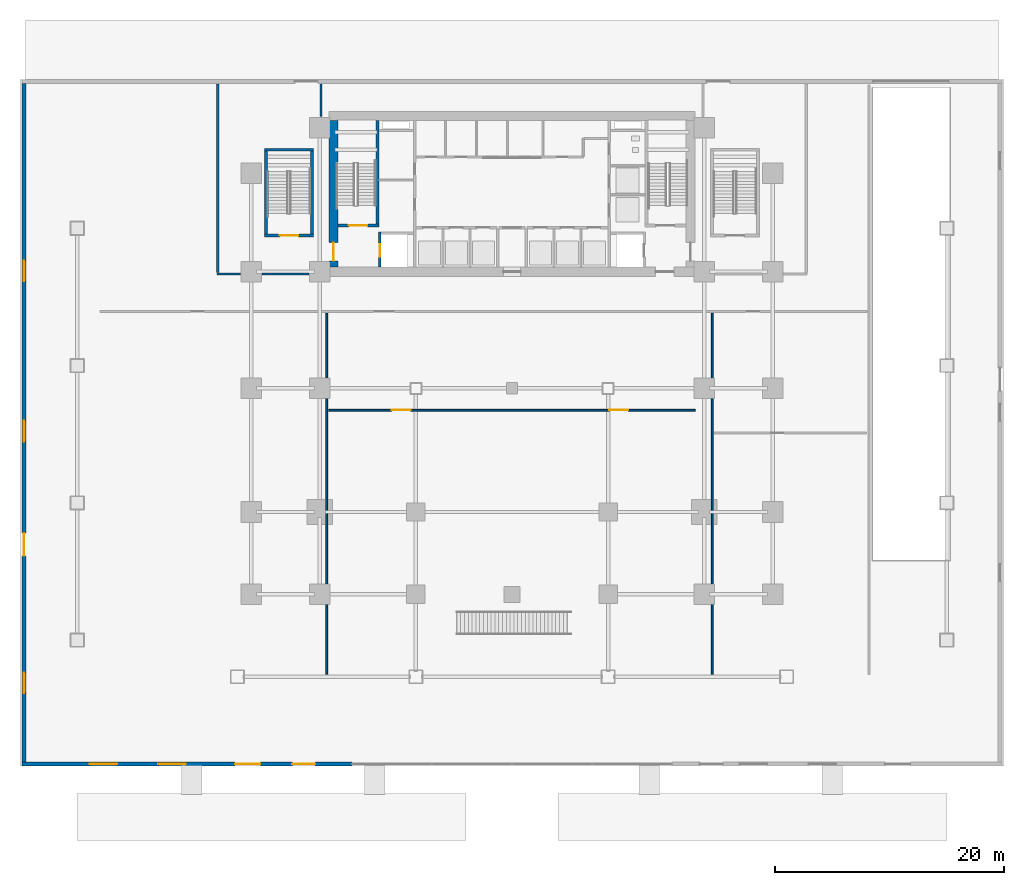
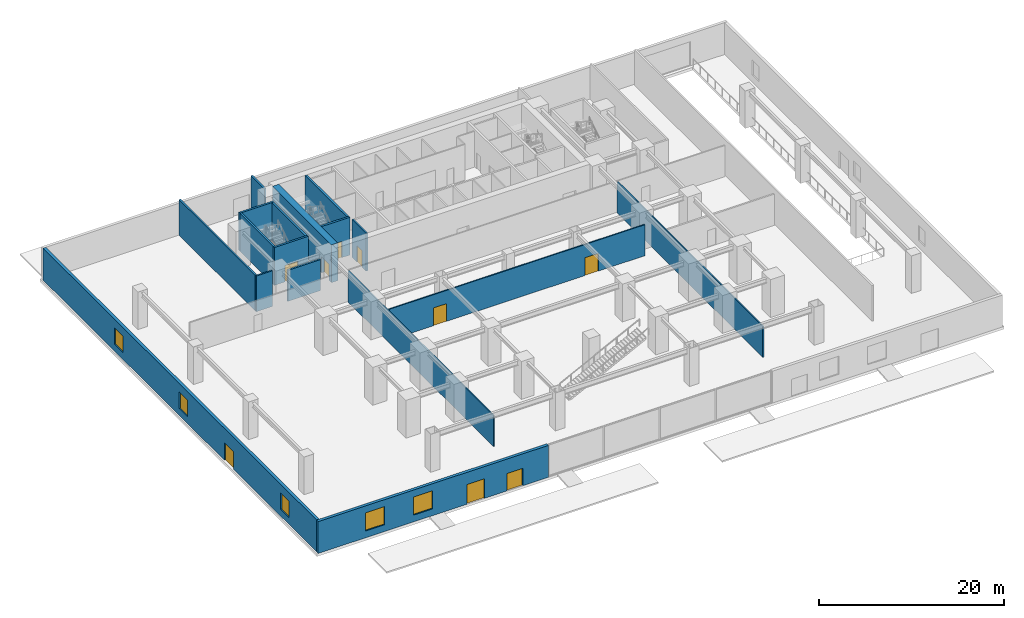
# One storey, part 8 of 18: 17 walls, 9 doors, 5 windows, 14 openings.
"""IFC4 building model written with IfcOpenShell, lengths in metres."""

from ifc_helpers import new_model, si_unit, direction, frame, frame_2d, origin, place, context, subcontext, project, spatial, rectangle, extrude, source, transform, mapped, material, layer, layer_set, type_object, element, fill, save


model = new_model("IFC4")

# Units and contexts
model_context = context("Model", 3, precision=1e-05, world=origin(), true_north=direction((0.0, 1.0)))
body_context = subcontext(model_context, "Body", "Model", "MODEL_VIEW")
ifc_project = project(units=[si_unit("LENGTHUNIT", "METRE"), si_unit("AREAUNIT", "SQUARE_METRE"), si_unit("VOLUMEUNIT", "CUBIC_METRE"), si_unit("PLANEANGLEUNIT", "RADIAN"), si_unit("MASSUNIT", "GRAM", prefix="KILO")], contexts=[model_context])

# Site, building, storey
site_placement = place(None, origin())
site = spatial("IfcSite", under=ifc_project, at=site_placement, CompositionType="ELEMENT")
building_placement = place(site_placement, origin())
building = spatial("IfcBuilding", under=site, at=building_placement, Name="Sumidabori Civic Tower", CompositionType="ELEMENT")
storey_placement = place(building_placement, origin())
storey = spatial("IfcBuildingStorey", under=building, at=storey_placement, Name="L00", CompositionType="ELEMENT", Elevation=0.0)

# Wall, opening, door
ifc_material_1 = material(Name="Concrete C60/75", Category="concrete")
ifc_layer_1 = layer(ifc_material_1, 0.800048828125, Name="Concrete C60/75")
ifc_layer_set_1 = layer_set([ifc_layer_1], Name="Concrete C60/75")
wall_type_1 = type_object("IfcWallType", Name="WL-CORE-800", PredefinedType="SHEAR", material=ifc_layer_set_1)
shared_shape_1 = source(origin(), body_context, "Body", "SweptSolid", [
    extrude(rectangle(XDim=12.7998046875, YDim=0.800048828125, at=frame_2d((6.39990234375, 0.0))), origin(), (0.0, 0.0, 1.0), 5.0),
])
wall_1_placement = place(storey_placement, frame((-15.60009765625, 10.60009765625, 0.0), z_axis=(0.0, 0.0, 1.0), x_axis=(0.0, 1.0, 0.0)))
wall_1 = element("IfcWall", 1, at=wall_1_placement, inside=storey, type_object=wall_type_1, Name="Core Shear Wall L00 W", PredefinedType="SHEAR", context=body_context, shape_type="MappedRepresentation", body=[
    mapped(shared_shape_1, transform((0.0, 0.0, 0.0), x_axis=(1.0, 0.0, 0.0), y_axis=(0.0, 1.0, 0.0), z_axis=(0.0, 0.0, 1.0), scale=1.0)),
])
opening_1_placement = place(wall_1_placement, frame((0.550048828125, 0.0, 0.0)))
opening_1 = element("IfcOpeningElement", 2, at=opening_1_placement, cuts=wall_1, Name="Opening DR-FD4", PredefinedType="OPENING", context=body_context, shape_type="SweptSolid", body=[
    extrude(rectangle(XDim=1.60009765625, YDim=2.14990234375, at=frame_2d((0.800048828125, 1.074951171875))), frame((0.0, 0.412109375, 0.0), z_axis=(0.0, -1.0, 0.0), x_axis=(1.0, 0.0, 0.0)), (0.0, 0.0, 1.0), 0.823974609375),
])
ifc_material_2 = material(Name="Steel SN490", Category="steel")
door_type_1 = type_object("IfcDoorType", Name="DR-FD4", OperationType="DOUBLE_DOOR_SINGLE_SWING", PredefinedType="DOOR", material=ifc_material_2)
shared_shape_2 = source(origin(), body_context, "Body", "SweptSolid", [
    extrude(rectangle(XDim=1.60009765625, YDim=2.14990234375, at=frame_2d((0.800048828125, 1.074951171875))), frame((0.0, 0.02490234375, 0.0), z_axis=(0.0, -1.0, 0.0), x_axis=(1.0, 0.0, 0.0)), (0.0, 0.0, 1.0), 0.050048828125),
])
door_1_placement = place(opening_1_placement, origin())
door_1 = element("IfcDoor", 3, at=door_1_placement, inside=storey, type_object=door_type_1, Name="Door DR:L00:EXP-IN-W", OperationType="DOUBLE_DOOR_SINGLE_SWING", OverallHeight=2.14990234375, OverallWidth=1.60009765625, PredefinedType="DOOR", context=body_context, shape_type="MappedRepresentation", body=[
    mapped(shared_shape_2, transform((0.0, 0.0, 0.0), x_axis=(1.0, 0.0, 0.0), y_axis=(0.0, 1.0, 0.0), z_axis=(0.0, 0.0, 1.0), scale=1.0)),
])
fill(opening_1, door_1)

ifc_material_3 = material(Name="Concrete C50/60", Category="concrete")
ifc_layer_2 = layer(ifc_material_3, 0.25, Name="Concrete C50/60")
ifc_layer_set_2 = layer_set([ifc_layer_2], Name="Concrete C50/60")
wall_type_2 = type_object("IfcWallType", Name="WL-SHAFT-250", PredefinedType="SHEAR", material=ifc_layer_set_2)
shared_shape_3 = source(origin(), body_context, "Body", "SweptSolid", [
    extrude(rectangle(XDim=3.554931640625, YDim=0.25, at=frame_2d((1.77734375, 0.0))), origin(), (0.0, 0.0, 1.0), 5.0),
])
wall_2_placement = place(storey_placement, frame((-15.199951171875, 14.25, 0.0), z_axis=(0.0, 0.0, 1.0), x_axis=(1.0, 0.0, 0.0)))
wall_2 = element("IfcWall", 4, at=wall_2_placement, inside=storey, type_object=wall_type_2, Name="Core Shear Wall L00 ST1-S", PredefinedType="SHEAR", context=body_context, shape_type="MappedRepresentation", body=[
    mapped(shared_shape_3, transform((0.0, 0.0, 0.0), x_axis=(1.0, 0.0, 0.0), y_axis=(0.0, 1.0, 0.0), z_axis=(0.0, 0.0, 1.0), scale=1.0)),
])
opening_2_placement = place(wall_2_placement, frame((0.949951171875, 0.0, 0.0)))
opening_2 = element("IfcOpeningElement", 5, at=opening_2_placement, cuts=wall_2, Name="Opening DR-FD4", PredefinedType="OPENING", context=body_context, shape_type="SweptSolid", body=[
    extrude(rectangle(XDim=1.60009765625, YDim=2.14990234375, at=frame_2d((0.800048828125, 1.074951171875))), frame((0.0, 0.136962890625, 0.0), z_axis=(0.0, -1.0, 0.0), x_axis=(1.0, 0.0, 0.0)), (0.0, 0.0, 1.0), 0.27392578125),
])
door_2_placement = place(opening_2_placement, origin())
door_2 = element("IfcDoor", 6, at=door_2_placement, inside=storey, type_object=door_type_1, Name="Door DR:L00:ST1", OperationType="DOUBLE_DOOR_SINGLE_SWING", OverallHeight=2.14990234375, OverallWidth=1.60009765625, PredefinedType="DOOR", context=body_context, shape_type="MappedRepresentation", body=[
    mapped(shared_shape_2, transform((0.0, 0.0, 0.0), x_axis=(1.0, 0.0, 0.0), y_axis=(0.0, 1.0, 0.0), z_axis=(0.0, 0.0, 1.0), scale=1.0)),
])
fill(opening_2, door_2)

# Wall
shared_shape_4 = source(origin(), body_context, "Body", "SweptSolid", [
    extrude(rectangle(XDim=9.02490234375, YDim=0.25, at=frame_2d((4.512451171875, 0.0))), origin(), (0.0, 0.0, 1.0), 5.0),
])
wall_3_placement = place(storey_placement, frame((-11.77001953125, 14.375, 0.0), z_axis=(0.0, 0.0, 1.0), x_axis=(0.0, 1.0, 0.0)))
element("IfcWall", 7, at=wall_3_placement, inside=storey, type_object=wall_type_2, Name="Core Shear Wall L00 ST1-E", PredefinedType="SHEAR", context=body_context, shape_type="MappedRepresentation", body=[
    mapped(shared_shape_4, transform((0.0, 0.0, 0.0), x_axis=(1.0, 0.0, 0.0), y_axis=(0.0, 1.0, 0.0), z_axis=(0.0, 0.0, 1.0), scale=1.0)),
])

# Wall, opening, door
ifc_layer_3 = layer(ifc_material_3, 0.199951171875, Name="Concrete C50/60")
ifc_layer_set_3 = layer_set([ifc_layer_3], Name="Concrete C50/60")
wall_type_3 = type_object("IfcWallType", Name="WL-SHAFT-200", PredefinedType="SHEAR", material=ifc_layer_set_3)
shared_shape_5 = source(origin(), body_context, "Body", "SweptSolid", [
    extrude(rectangle(XDim=3.0498046875, YDim=0.199951171875, at=frame_2d((1.52490234375, 0.0))), origin(), (0.0, 0.0, 1.0), 5.0),
])
wall_4_placement = place(storey_placement, frame((-11.550048828125, 10.60009765625, 0.0), z_axis=(0.0, 0.0, 1.0), x_axis=(0.0, 1.0, 0.0)))
wall_4 = element("IfcWall", 8, at=wall_4_placement, inside=storey, type_object=wall_type_3, Name="Core Shear Wall L00 EL1-W", PredefinedType="SHEAR", context=body_context, shape_type="MappedRepresentation", body=[
    mapped(shared_shape_5, transform((0.0, 0.0, 0.0), x_axis=(1.0, 0.0, 0.0), y_axis=(0.0, 1.0, 0.0), z_axis=(0.0, 0.0, 1.0), scale=1.0)),
])
opening_3_placement = place(wall_4_placement, frame((0.89990234375, 0.0, 0.0)))
opening_3 = element("IfcOpeningElement", 9, at=opening_3_placement, cuts=wall_4, Name="Opening LD-2", PredefinedType="OPENING", context=body_context, shape_type="SweptSolid", body=[
    extrude(rectangle(XDim=1.10009765625, YDim=2.14990234375, at=frame_2d((0.550048828125, 1.074951171875))), frame((0.0, 0.11181640625, 0.0), z_axis=(0.0, -1.0, 0.0), x_axis=(1.0, 0.0, 0.0)), (0.0, 0.0, 1.0), 0.223876953125),
])
ifc_material_4 = material(Name="Stainless Steel Hairline Finish", Category="steel")
door_type_2 = type_object("IfcDoorType", Name="DR-LD2", OperationType="DOUBLE_DOOR_SLIDING", PredefinedType="DOOR", material=ifc_material_4)
shared_shape_6 = source(origin(), body_context, "Body", "SweptSolid", [
    extrude(rectangle(XDim=1.10009765625, YDim=2.14990234375, at=frame_2d((0.550048828125, 1.074951171875))), frame((0.0, 0.02490234375, 0.0), z_axis=(0.0, -1.0, 0.0), x_axis=(1.0, 0.0, 0.0)), (0.0, 0.0, 1.0), 0.050048828125),
])
door_3_placement = place(opening_3_placement, origin())
door_3 = element("IfcDoor", 10, at=door_3_placement, inside=storey, type_object=door_type_2, Name="Door DR:L00:LD-EL1", OperationType="DOUBLE_DOOR_SLIDING", OverallHeight=2.14990234375, OverallWidth=1.10009765625, PredefinedType="DOOR", context=body_context, shape_type="MappedRepresentation", body=[
    mapped(shared_shape_6, transform((0.0, 0.0, 0.0), x_axis=(1.0, 0.0, 0.0), y_axis=(0.0, 1.0, 0.0), z_axis=(0.0, 0.0, 1.0), scale=1.0)),
])
fill(opening_3, door_3)

# Wall
shared_shape_7 = source(origin(), body_context, "Body", "SweptSolid", [
    extrude(rectangle(XDim=4.260009765625, YDim=0.25, at=frame_2d((2.1298828125, 0.0))), origin(), (0.0, 0.0, 1.0), 5.0),
])
wall_5_placement = place(storey_placement, frame((-21.610107421875, 20.864990234375, 0.0), z_axis=(0.0, 0.0, 1.0), x_axis=(1.0, 0.0, 0.0)))
element("IfcWall", 11, at=wall_5_placement, inside=storey, type_object=wall_type_2, Name="Core Shear Wall L00 ST3-N", PredefinedType="SHEAR", context=body_context, shape_type="MappedRepresentation", body=[
    mapped(shared_shape_7, transform((0.0, 0.0, 0.0), x_axis=(1.0, 0.0, 0.0), y_axis=(0.0, 1.0, 0.0), z_axis=(0.0, 0.0, 1.0), scale=1.0)),
])

# Wall, opening, door
wall_6_placement = place(storey_placement, frame((-21.610107421875, 13.375, 0.0), z_axis=(0.0, 0.0, 1.0), x_axis=(1.0, 0.0, 0.0)))
wall_6 = element("IfcWall", 12, at=wall_6_placement, inside=storey, type_object=wall_type_2, Name="Core Shear Wall L00 ST3-S", PredefinedType="SHEAR", context=body_context, shape_type="MappedRepresentation", body=[
    mapped(shared_shape_7, transform((0.0, 0.0, 0.0), x_axis=(1.0, 0.0, 0.0), y_axis=(0.0, 1.0, 0.0), z_axis=(0.0, 0.0, 1.0), scale=1.0)),
])
opening_4_placement = place(wall_6_placement, frame((1.330078125, 0.0, 0.0)))
opening_4 = element("IfcOpeningElement", 13, at=opening_4_placement, cuts=wall_6, Name="Opening DR-FD4", PredefinedType="OPENING", context=body_context, shape_type="SweptSolid", body=[
    extrude(rectangle(XDim=1.60009765625, YDim=2.14990234375, at=frame_2d((0.800048828125, 1.074951171875))), frame((0.0, 0.136962890625, 0.0), z_axis=(0.0, -1.0, 0.0), x_axis=(1.0, 0.0, 0.0)), (0.0, 0.0, 1.0), 0.27392578125),
])
door_4_placement = place(opening_4_placement, origin())
door_4 = element("IfcDoor", 14, at=door_4_placement, inside=storey, type_object=door_type_1, Name="Door DR:L00:ST3", OperationType="DOUBLE_DOOR_SINGLE_SWING", OverallHeight=2.14990234375, OverallWidth=1.60009765625, PredefinedType="DOOR", context=body_context, shape_type="MappedRepresentation", body=[
    mapped(shared_shape_2, transform((0.0, 0.0, 0.0), x_axis=(1.0, 0.0, 0.0), y_axis=(0.0, 1.0, 0.0), z_axis=(0.0, 0.0, 1.0), scale=1.0)),
])
fill(opening_4, door_4)

# Walls
shared_shape_8 = source(origin(), body_context, "Body", "SweptSolid", [
    extrude(rectangle(XDim=7.230224609375, YDim=0.25, at=frame_2d((3.615234375, 0.0))), origin(), (0.0, 0.0, 1.0), 5.0),
])
for number, where, z_axis, x_axis, name in (
    (15, (-21.485107421875, 13.5048828125, 0.0), (0.0, 0.0, 1.0), (0.0, 1.0, 0.0), "Core Shear Wall L00 ST3-W"),
    (16, (-17.47509765625, 13.5048828125, 0.0), (0.0, 0.0, 1.0), (0.0, 1.0, 0.0), "Core Shear Wall L00 ST3-E"),
):
    element("IfcWall", number, at=place(storey_placement, frame(where, z_axis=z_axis, x_axis=x_axis)), inside=storey, type_object=wall_type_2, Name=name, PredefinedType="SHEAR", context=body_context, shape_type="MappedRepresentation", body=[
        mapped(shared_shape_8, transform((0.0, 0.0, 0.0), x_axis=(1.0, 0.0, 0.0), y_axis=(0.0, 1.0, 0.0), z_axis=(0.0, 0.0, 1.0), scale=1.0)),
    ])

# Wall, openings, doors, windows
ifc_material_5 = material(Name="Precast concrete C40/50", Category="concrete")
ifc_layer_4 = layer(ifc_material_5, 0.360107421875, Name="Precast concrete C40/50")
ifc_layer_set_4 = layer_set([ifc_layer_4], Name="Precast concrete C40/50")
wall_type_4 = type_object("IfcWallType", Name="WL-EXT-POD360", PredefinedType="STANDARD", material=ifc_layer_set_4)
shared_shape_9 = source(origin(), body_context, "Body", "SweptSolid", [
    extrude(rectangle(XDim=28.820068359375, YDim=0.360107421875, at=frame_2d((14.41015625, 0.0))), origin(), (0.0, 0.0, 1.0), 4.219970703125),
])
wall_7_placement = place(storey_placement, frame((-14.0, -32.820068359375, 0.0), z_axis=(0.0, 0.0, 1.0), x_axis=(-1.0, 0.0, 0.0)))
wall_7 = element("IfcWall", 17, at=wall_7_placement, inside=storey, type_object=wall_type_4, Name="Podium South-West Precast Wall", PredefinedType="STANDARD", context=body_context, shape_type="MappedRepresentation", body=[
    mapped(shared_shape_9, transform((0.0, 0.0, 0.0), x_axis=(1.0, 0.0, 0.0), y_axis=(0.0, 1.0, 0.0), z_axis=(0.0, 0.0, 1.0), scale=1.0)),
])
opening_5_placement = place(wall_7_placement, frame((8.0, 0.0, 0.0)))
opening_5 = element("IfcOpeningElement", 18, at=opening_5_placement, cuts=wall_7, Name="Opening EX-1", PredefinedType="OPENING", context=body_context, shape_type="SweptSolid", body=[
    extrude(rectangle(XDim=2.199951171875, YDim=2.60009765625, at=frame_2d((1.10009765625, 1.300048828125))), frame((0.0, 0.19189453125, 0.0), z_axis=(0.0, -1.0, 0.0), x_axis=(1.0, 0.0, 0.0)), (0.0, 0.0, 1.0), 0.384033203125),
])
opening_6_placement = place(wall_7_placement, frame((3.199951171875, 0.0, 0.0)))
opening_6 = element("IfcOpeningElement", 19, at=opening_6_placement, cuts=wall_7, Name="Opening EX-2", PredefinedType="OPENING", context=body_context, shape_type="SweptSolid", body=[
    extrude(rectangle(XDim=2.0, YDim=2.300048828125, at=frame_2d((1.0, 1.14990234375))), frame((0.0, 0.19189453125, 0.0), z_axis=(0.0, -1.0, 0.0), x_axis=(1.0, 0.0, 0.0)), (0.0, 0.0, 1.0), 0.384033203125),
])
opening_7_placement = place(wall_7_placement, frame((14.5, 0.0, 0.89990234375)))
opening_7 = element("IfcOpeningElement", 20, at=opening_7_placement, cuts=wall_7, Name="Opening WN-1", PredefinedType="OPENING", context=body_context, shape_type="SweptSolid", body=[
    extrude(rectangle(XDim=2.39990234375, YDim=2.39990234375, at=frame_2d((1.199951171875, 1.199951171875))), frame((0.0, 0.19189453125, 0.0), z_axis=(0.0, -1.0, 0.0), x_axis=(1.0, 0.0, 0.0)), (0.0, 0.0, 1.0), 0.384033203125),
])
opening_8_placement = place(wall_7_placement, frame((20.5, 0.0, 0.89990234375)))
opening_8 = element("IfcOpeningElement", 21, at=opening_8_placement, cuts=wall_7, Name="Opening WN-1", PredefinedType="OPENING", context=body_context, shape_type="SweptSolid", body=[
    extrude(rectangle(XDim=2.39990234375, YDim=2.39990234375, at=frame_2d((1.199951171875, 1.199951171875))), frame((0.0, 0.19189453125, 0.0), z_axis=(0.0, -1.0, 0.0), x_axis=(1.0, 0.0, 0.0)), (0.0, 0.0, 1.0), 0.384033203125),
])
ifc_material_6 = material(Name="Anodised Bronze Aluminium AW-6063-T6", Category="aluminium")
door_type_3 = type_object("IfcDoorType", Name="DR-EXT-MAIN", OperationType="DOUBLE_DOOR_SINGLE_SWING", PredefinedType="DOOR", material=ifc_material_6)
shared_shape_10 = source(origin(), body_context, "Body", "SweptSolid", [
    extrude(rectangle(XDim=2.199951171875, YDim=2.60009765625, at=frame_2d((1.10009765625, 1.300048828125))), frame((0.0, 0.02490234375, 0.0), z_axis=(0.0, -1.0, 0.0), x_axis=(1.0, 0.0, 0.0)), (0.0, 0.0, 1.0), 0.050048828125),
])
door_5_placement = place(opening_5_placement, origin())
door_5 = element("IfcDoor", 22, at=door_5_placement, inside=storey, type_object=door_type_3, Name="Main Entrance West EX-1", OperationType="DOUBLE_DOOR_SINGLE_SWING", OverallHeight=2.60009765625, OverallWidth=2.199951171875, PredefinedType="DOOR", context=body_context, shape_type="MappedRepresentation", body=[
    mapped(shared_shape_10, transform((0.0, 0.0, 0.0), x_axis=(1.0, 0.0, 0.0), y_axis=(0.0, 1.0, 0.0), z_axis=(0.0, 0.0, 1.0), scale=1.0)),
])
fill(opening_5, door_5)
door_type_4 = type_object("IfcDoorType", Name="DR-EXT-EXIT", OperationType="DOUBLE_DOOR_SINGLE_SWING", PredefinedType="DOOR", material=ifc_material_6)
shared_shape_11 = source(origin(), body_context, "Body", "SweptSolid", [
    extrude(rectangle(XDim=2.0, YDim=2.300048828125, at=frame_2d((1.0, 1.14990234375))), frame((0.0, 0.02490234375, 0.0), z_axis=(0.0, -1.0, 0.0), x_axis=(1.0, 0.0, 0.0)), (0.0, 0.0, 1.0), 0.050048828125),
])
door_6_placement = place(opening_6_placement, origin())
door_6 = element("IfcDoor", 23, at=door_6_placement, inside=storey, type_object=door_type_4, Name="Civic Forecourt Exit West EX-2", OperationType="DOUBLE_DOOR_SINGLE_SWING", OverallHeight=2.300048828125, OverallWidth=2.0, PredefinedType="DOOR", context=body_context, shape_type="MappedRepresentation", body=[
    mapped(shared_shape_11, transform((0.0, 0.0, 0.0), x_axis=(1.0, 0.0, 0.0), y_axis=(0.0, 1.0, 0.0), z_axis=(0.0, 0.0, 1.0), scale=1.0)),
])
fill(opening_6, door_6)
ifc_material_7 = material(Name="Low-E Vision Double Glazing", Category="glass")
window_type_1 = type_object("IfcWindowType", Name="WN-POD-2400", PartitioningType="SINGLE_PANEL", PredefinedType="WINDOW", material=ifc_material_7)
shared_shape_12 = source(origin(), body_context, "Body", "SweptSolid", [
    extrude(rectangle(XDim=2.39990234375, YDim=2.39990234375, at=frame_2d((1.199951171875, 1.199951171875))), frame((0.0, 0.030029296875, 0.0), z_axis=(0.0, -1.0, 0.0), x_axis=(1.0, 0.0, 0.0)), (0.0, 0.0, 1.0), 0.06005859375),
])
window_1_placement = place(opening_7_placement, origin())
window_1 = element("IfcWindow", 24, at=window_1_placement, inside=storey, type_object=window_type_1, Name="Podium Window L00-SW1", OverallHeight=2.39990234375, OverallWidth=2.39990234375, PartitioningType="SINGLE_PANEL", PredefinedType="WINDOW", context=body_context, shape_type="MappedRepresentation", body=[
    mapped(shared_shape_12, transform((0.0, 0.0, 0.0), x_axis=(1.0, 0.0, 0.0), y_axis=(0.0, 1.0, 0.0), z_axis=(0.0, 0.0, 1.0), scale=1.0)),
])
fill(opening_7, window_1)
window_2_placement = place(opening_8_placement, origin())
window_2 = element("IfcWindow", 25, at=window_2_placement, inside=storey, type_object=window_type_1, Name="Podium Window L00-SW2", OverallHeight=2.39990234375, OverallWidth=2.39990234375, PartitioningType="SINGLE_PANEL", PredefinedType="WINDOW", context=body_context, shape_type="MappedRepresentation", body=[
    mapped(shared_shape_12, transform((0.0, 0.0, 0.0), x_axis=(1.0, 0.0, 0.0), y_axis=(0.0, 1.0, 0.0), z_axis=(0.0, 0.0, 1.0), scale=1.0)),
])
fill(opening_8, window_2)

# Wall, openings, door, windows
shared_shape_13 = source(origin(), body_context, "Body", "SweptSolid", [
    extrude(rectangle(XDim=59.27978515625, YDim=0.360107421875, at=frame_2d((29.639892578125, 0.0))), origin(), (0.0, 0.0, 1.0), 4.219970703125),
])
wall_8_placement = place(storey_placement, frame((-42.639892578125, -32.639892578125, 0.0), z_axis=(0.0, 0.0, 1.0), x_axis=(0.0, 1.0, 0.0)))
wall_8 = element("IfcWall", 26, at=wall_8_placement, inside=storey, type_object=wall_type_4, Name="Podium West Precast Wall", PredefinedType="STANDARD", context=body_context, shape_type="MappedRepresentation", body=[
    mapped(shared_shape_13, transform((0.0, 0.0, 0.0), x_axis=(1.0, 0.0, 0.0), y_axis=(0.0, 1.0, 0.0), z_axis=(0.0, 0.0, 1.0), scale=1.0)),
])
opening_9_placement = place(wall_8_placement, frame((18.0, 0.0, 0.0)))
opening_9 = element("IfcOpeningElement", 27, at=opening_9_placement, cuts=wall_8, Name="Opening EX-2", PredefinedType="OPENING", context=body_context, shape_type="SweptSolid", body=[
    extrude(rectangle(XDim=2.0, YDim=2.300048828125, at=frame_2d((1.0, 1.14990234375))), frame((0.0, 0.19189453125, 0.0), z_axis=(0.0, -1.0, 0.0), x_axis=(1.0, 0.0, 0.0)), (0.0, 0.0, 1.0), 0.384033203125),
])
opening_10_placement = place(wall_8_placement, frame((6.0, 0.0, 0.89990234375)))
opening_10 = element("IfcOpeningElement", 28, at=opening_10_placement, cuts=wall_8, Name="Opening WN-2", PredefinedType="OPENING", context=body_context, shape_type="SweptSolid", body=[
    extrude(rectangle(XDim=1.800048828125, YDim=2.199951171875, at=frame_2d((0.89990234375, 1.10009765625))), frame((0.0, 0.19189453125, 0.0), z_axis=(0.0, -1.0, 0.0), x_axis=(1.0, 0.0, 0.0)), (0.0, 0.0, 1.0), 0.384033203125),
])
opening_11_placement = place(wall_8_placement, frame((28.0, 0.0, 0.89990234375)))
opening_11 = element("IfcOpeningElement", 29, at=opening_11_placement, cuts=wall_8, Name="Opening WN-2", PredefinedType="OPENING", context=body_context, shape_type="SweptSolid", body=[
    extrude(rectangle(XDim=1.800048828125, YDim=2.199951171875, at=frame_2d((0.89990234375, 1.10009765625))), frame((0.0, 0.19189453125, 0.0), z_axis=(0.0, -1.0, 0.0), x_axis=(1.0, 0.0, 0.0)), (0.0, 0.0, 1.0), 0.384033203125),
])
opening_12_placement = place(wall_8_placement, frame((42.0, 0.0, 0.89990234375)))
opening_12 = element("IfcOpeningElement", 30, at=opening_12_placement, cuts=wall_8, Name="Opening WN-2", PredefinedType="OPENING", context=body_context, shape_type="SweptSolid", body=[
    extrude(rectangle(XDim=1.800048828125, YDim=2.199951171875, at=frame_2d((0.89990234375, 1.10009765625))), frame((0.0, 0.19189453125, 0.0), z_axis=(0.0, -1.0, 0.0), x_axis=(1.0, 0.0, 0.0)), (0.0, 0.0, 1.0), 0.384033203125),
])
door_7_placement = place(opening_9_placement, origin())
door_7 = element("IfcDoor", 31, at=door_7_placement, inside=storey, type_object=door_type_4, Name="Pedestrian Exit West EX-2", OperationType="DOUBLE_DOOR_SINGLE_SWING", OverallHeight=2.300048828125, OverallWidth=2.0, PredefinedType="DOOR", context=body_context, shape_type="MappedRepresentation", body=[
    mapped(shared_shape_11, transform((0.0, 0.0, 0.0), x_axis=(1.0, 0.0, 0.0), y_axis=(0.0, 1.0, 0.0), z_axis=(0.0, 0.0, 1.0), scale=1.0)),
])
fill(opening_9, door_7)
window_type_2 = type_object("IfcWindowType", Name="WN-POD-1800", PartitioningType="SINGLE_PANEL", PredefinedType="WINDOW", material=ifc_material_7)
shared_shape_14 = source(origin(), body_context, "Body", "SweptSolid", [
    extrude(rectangle(XDim=1.800048828125, YDim=2.199951171875, at=frame_2d((0.89990234375, 1.10009765625))), frame((0.0, 0.030029296875, 0.0), z_axis=(0.0, -1.0, 0.0), x_axis=(1.0, 0.0, 0.0)), (0.0, 0.0, 1.0), 0.06005859375),
])
window_3_placement = place(opening_10_placement, origin())
window_3 = element("IfcWindow", 32, at=window_3_placement, inside=storey, type_object=window_type_2, Name="Podium Window L00-W1", OverallHeight=2.199951171875, OverallWidth=1.800048828125, PartitioningType="SINGLE_PANEL", PredefinedType="WINDOW", context=body_context, shape_type="MappedRepresentation", body=[
    mapped(shared_shape_14, transform((0.0, 0.0, 0.0), x_axis=(1.0, 0.0, 0.0), y_axis=(0.0, 1.0, 0.0), z_axis=(0.0, 0.0, 1.0), scale=1.0)),
])
fill(opening_10, window_3)
window_4_placement = place(opening_11_placement, origin())
window_4 = element("IfcWindow", 33, at=window_4_placement, inside=storey, type_object=window_type_2, Name="Podium Window L00-W2", OverallHeight=2.199951171875, OverallWidth=1.800048828125, PartitioningType="SINGLE_PANEL", PredefinedType="WINDOW", context=body_context, shape_type="MappedRepresentation", body=[
    mapped(shared_shape_14, transform((0.0, 0.0, 0.0), x_axis=(1.0, 0.0, 0.0), y_axis=(0.0, 1.0, 0.0), z_axis=(0.0, 0.0, 1.0), scale=1.0)),
])
fill(opening_11, window_4)
window_5_placement = place(opening_12_placement, origin())
window_5 = element("IfcWindow", 34, at=window_5_placement, inside=storey, type_object=window_type_2, Name="Podium Window L00-W3", OverallHeight=2.199951171875, OverallWidth=1.800048828125, PartitioningType="SINGLE_PANEL", PredefinedType="WINDOW", context=body_context, shape_type="MappedRepresentation", body=[
    mapped(shared_shape_14, transform((0.0, 0.0, 0.0), x_axis=(1.0, 0.0, 0.0), y_axis=(0.0, 1.0, 0.0), z_axis=(0.0, 0.0, 1.0), scale=1.0)),
])
fill(opening_12, window_5)

# Wall, openings, doors
ifc_material_8 = material(Name="Gypsum Plasterboard Acoustic Partition")
ifc_layer_5 = layer(ifc_material_8, 0.14990234375, Name="Gypsum Plasterboard Acoustic Partition")
ifc_layer_set_5 = layer_set([ifc_layer_5], Name="Gypsum Plasterboard Acoustic Partition")
wall_type_5 = type_object("IfcWallType", Name="WL-PART-150", PredefinedType="PARTITIONING", material=ifc_layer_set_5)
shared_shape_15 = source(origin(), body_context, "Body", "SweptSolid", [
    extrude(rectangle(XDim=32.0, YDim=0.14990234375, at=frame_2d((16.0, 0.0))), origin(), (0.0, 0.0, 1.0), 4.10498046875),
])
wall_9_placement = place(storey_placement, frame((-16.0, -1.89990234375, 0.0), z_axis=(0.0, 0.0, 1.0), x_axis=(1.0, 0.0, 0.0)))
wall_9 = element("IfcWall", 35, at=wall_9_placement, inside=storey, type_object=wall_type_5, Name="Interior Partition WL:L00:HALL-N", PredefinedType="PARTITIONING", context=body_context, shape_type="MappedRepresentation", body=[
    mapped(shared_shape_15, transform((0.0, 0.0, 0.0), x_axis=(1.0, 0.0, 0.0), y_axis=(0.0, 1.0, 0.0), z_axis=(0.0, 0.0, 1.0), scale=1.0)),
])
opening_13_placement = place(wall_9_placement, frame((5.5, 0.0, 0.0)))
opening_13 = element("IfcOpeningElement", 36, at=opening_13_placement, cuts=wall_9, Name="Opening DR-6", PredefinedType="OPENING", context=body_context, shape_type="SweptSolid", body=[
    extrude(rectangle(XDim=1.64990234375, YDim=2.35009765625, at=frame_2d((0.824951171875, 1.175048828125))), frame((0.0, 0.0869140625, 0.0), z_axis=(0.0, -1.0, 0.0), x_axis=(1.0, 0.0, 0.0)), (0.0, 0.0, 1.0), 0.173828125),
])
opening_14_placement = place(wall_9_placement, frame((24.5, 0.0, 0.0)))
opening_14 = element("IfcOpeningElement", 37, at=opening_14_placement, cuts=wall_9, Name="Opening DR-6", PredefinedType="OPENING", context=body_context, shape_type="SweptSolid", body=[
    extrude(rectangle(XDim=1.64990234375, YDim=2.35009765625, at=frame_2d((0.824951171875, 1.175048828125))), frame((0.0, 0.0869140625, 0.0), z_axis=(0.0, -1.0, 0.0), x_axis=(1.0, 0.0, 0.0)), (0.0, 0.0, 1.0), 0.173828125),
])
door_type_5 = type_object("IfcDoorType", Name="DR-DBL-1650", OperationType="DOUBLE_DOOR_SINGLE_SWING", PredefinedType="DOOR", material=ifc_material_6)
shared_shape_16 = source(origin(), body_context, "Body", "SweptSolid", [
    extrude(rectangle(XDim=1.64990234375, YDim=2.35009765625, at=frame_2d((0.824951171875, 1.175048828125))), frame((0.0, 0.02490234375, 0.0), z_axis=(0.0, -1.0, 0.0), x_axis=(1.0, 0.0, 0.0)), (0.0, 0.0, 1.0), 0.050048828125),
])
door_8_placement = place(opening_13_placement, origin())
door_8 = element("IfcDoor", 38, at=door_8_placement, inside=storey, type_object=door_type_5, Name="Door DR:L00:HALL1", OperationType="DOUBLE_DOOR_SINGLE_SWING", OverallHeight=2.35009765625, OverallWidth=1.64990234375, PredefinedType="DOOR", context=body_context, shape_type="MappedRepresentation", body=[
    mapped(shared_shape_16, transform((0.0, 0.0, 0.0), x_axis=(1.0, 0.0, 0.0), y_axis=(0.0, 1.0, 0.0), z_axis=(0.0, 0.0, 1.0), scale=1.0)),
])
fill(opening_13, door_8)
door_9_placement = place(opening_14_placement, origin())
door_9 = element("IfcDoor", 39, at=door_9_placement, inside=storey, type_object=door_type_5, Name="Door DR:L00:HALL2", OperationType="DOUBLE_DOOR_SINGLE_SWING", OverallHeight=2.35009765625, OverallWidth=1.64990234375, PredefinedType="DOOR", context=body_context, shape_type="MappedRepresentation", body=[
    mapped(shared_shape_16, transform((0.0, 0.0, 0.0), x_axis=(1.0, 0.0, 0.0), y_axis=(0.0, 1.0, 0.0), z_axis=(0.0, 0.0, 1.0), scale=1.0)),
])
fill(opening_14, door_9)

# Walls
shared_shape_17 = source(origin(), body_context, "Body", "SweptSolid", [
    extrude(rectangle(XDim=31.550048828125, YDim=0.14990234375, at=frame_2d((15.77490234375, 0.0))), origin(), (0.0, 0.0, 1.0), 4.10498046875),
])
for number, where, z_axis, x_axis, name in (
    (40, (-16.199951171875, -25.0, 0.0), (0.0, 0.0, 1.0), (0.0, 1.0, 0.0), "Interior Partition WL:L00:HALL-W"),
    (41, (17.5, -25.0, 0.0), (0.0, 0.0, 1.0), (0.0, 1.0, 0.0), "Interior Partition WL:L00:HALL-E"),
):
    element("IfcWall", number, at=place(storey_placement, frame(where, z_axis=z_axis, x_axis=x_axis)), inside=storey, type_object=wall_type_5, Name=name, PredefinedType="PARTITIONING", context=body_context, shape_type="MappedRepresentation", body=[
        mapped(shared_shape_17, transform((0.0, 0.0, 0.0), x_axis=(1.0, 0.0, 0.0), y_axis=(0.0, 1.0, 0.0), z_axis=(0.0, 0.0, 1.0), scale=1.0)),
    ])
ifc_material_9 = material(Name="Gypsum Plasterboard Fire Partition")
ifc_layer_6 = layer(ifc_material_9, 0.199951171875, Name="Gypsum Plasterboard Fire Partition")
ifc_layer_set_6 = layer_set([ifc_layer_6], Name="Gypsum Plasterboard Fire Partition")
wall_type_6 = type_object("IfcWallType", Name="WL-PART-FIRE", PredefinedType="PARTITIONING", material=ifc_layer_set_6)
shared_shape_18 = source(origin(), body_context, "Body", "SweptSolid", [
    extrude(rectangle(XDim=16.5, YDim=0.199951171875, at=frame_2d((8.25, 0.0))), origin(), (0.0, 0.0, 1.0), 4.719970703125),
])
wall_10_placement = place(storey_placement, frame((-25.719970703125, 10.1201171875, 0.0), z_axis=(0.0, 0.0, 1.0), x_axis=(0.0, 1.0, 0.0)))
element("IfcWall", 42, at=wall_10_placement, inside=storey, type_object=wall_type_6, Name="Interior Partition WL:L00:EXP-WW", PredefinedType="PARTITIONING", context=body_context, shape_type="MappedRepresentation", body=[
    mapped(shared_shape_18, transform((0.0, 0.0, 0.0), x_axis=(1.0, 0.0, 0.0), y_axis=(0.0, 1.0, 0.0), z_axis=(0.0, 0.0, 1.0), scale=1.0)),
])
shared_shape_19 = source(origin(), body_context, "Body", "SweptSolid", [
    extrude(rectangle(XDim=2.050048828125, YDim=0.199951171875, at=frame_2d((1.02490234375, 0.0))), origin(), (0.0, 0.0, 1.0), 4.719970703125),
])
wall_11_placement = place(storey_placement, frame((-25.800048828125, 10.0, 0.0), z_axis=(0.0, 0.0, 1.0), x_axis=(1.0, 0.0, 0.0)))
element("IfcWall", 43, at=wall_11_placement, inside=storey, type_object=wall_type_6, Name="Interior Partition WL:L00:EXP-WS1", PredefinedType="PARTITIONING", context=body_context, shape_type="MappedRepresentation", body=[
    mapped(shared_shape_19, transform((0.0, 0.0, 0.0), x_axis=(1.0, 0.0, 0.0), y_axis=(0.0, 1.0, 0.0), z_axis=(0.0, 0.0, 1.0), scale=1.0)),
])
shared_shape_20 = source(origin(), body_context, "Body", "SweptSolid", [
    extrude(rectangle(XDim=4.10009765625, YDim=0.199951171875, at=frame_2d((2.050048828125, 0.0))), origin(), (0.0, 0.0, 1.0), 4.10498046875),
])
wall_12_placement = place(storey_placement, frame((-21.85009765625, 10.0, 0.0), z_axis=(0.0, 0.0, 1.0), x_axis=(1.0, 0.0, 0.0)))
element("IfcWall", 44, at=wall_12_placement, inside=storey, type_object=wall_type_6, Name="Interior Partition WL:L00:EXP-WS2", PredefinedType="PARTITIONING", context=body_context, shape_type="MappedRepresentation", body=[
    mapped(shared_shape_20, transform((0.0, 0.0, 0.0), x_axis=(1.0, 0.0, 0.0), y_axis=(0.0, 1.0, 0.0), z_axis=(0.0, 0.0, 1.0), scale=1.0)),
])
shared_shape_21 = source(origin(), body_context, "Body", "SweptSolid", [
    extrude(rectangle(XDim=2.8701171875, YDim=0.199951171875, at=frame_2d((1.43505859375, 0.0))), origin(), (0.0, 0.0, 1.0), 4.719970703125),
])
wall_13_placement = place(storey_placement, frame((-16.699951171875, 23.75, 0.0), z_axis=(0.0, 0.0, 1.0), x_axis=(0.0, 1.0, 0.0)))
element("IfcWall", 45, at=wall_13_placement, inside=storey, type_object=wall_type_6, Name="Interior Partition WL:L00:EXP-WE", PredefinedType="PARTITIONING", context=body_context, shape_type="MappedRepresentation", body=[
    mapped(shared_shape_21, transform((0.0, 0.0, 0.0), x_axis=(1.0, 0.0, 0.0), y_axis=(0.0, 1.0, 0.0), z_axis=(0.0, 0.0, 1.0), scale=1.0)),
])

save(model, "model.ifc")
